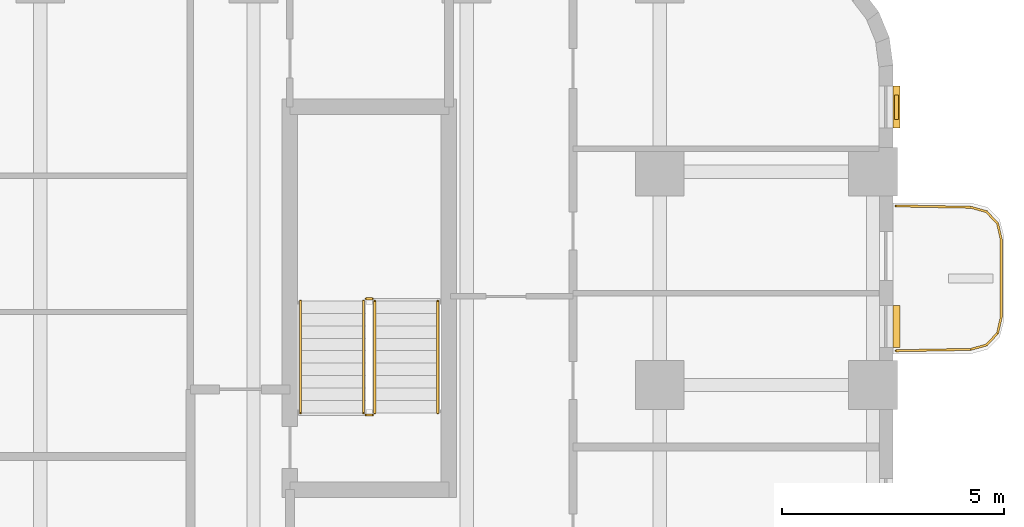
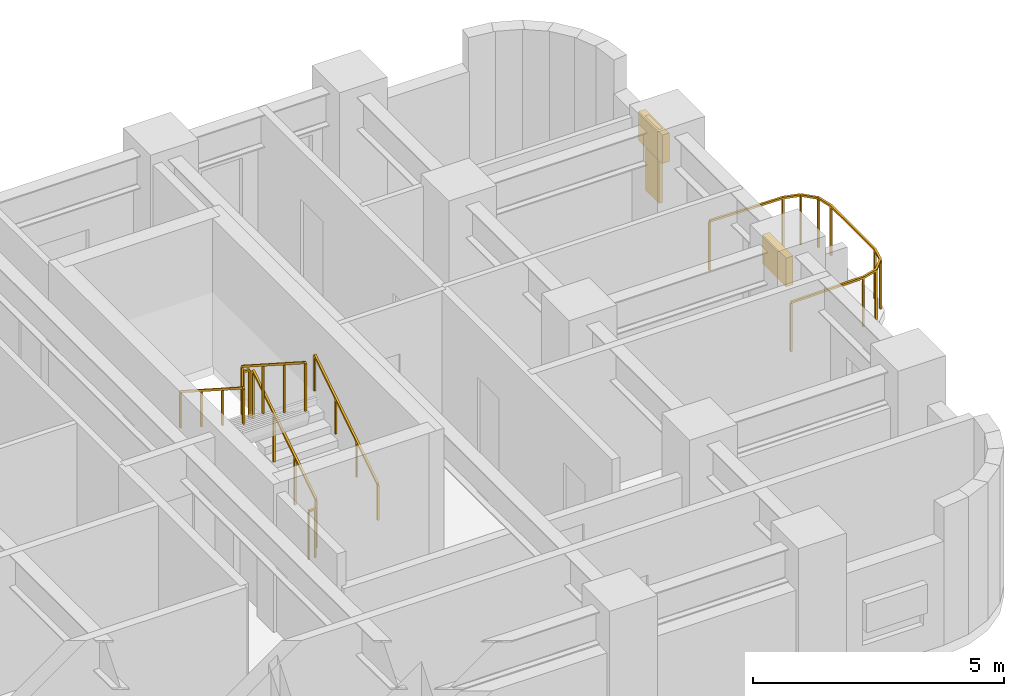
# One storey, part 10 of 11: 7 railings, 3 shading devices.
"""IFC4 building model written with IfcOpenShell, lengths in metres."""

from ifc_helpers import new_model, si_unit, direction, frame, origin, origin_2d, place, context, subcontext, project, spatial, rectangle, extrude, material, type_object, element, save


model = new_model("IFC4")

# Units and contexts
model_context = context("Model", 3, precision=1e-05, world=origin(), true_north=direction((0.0, 1.0)))
body_context = subcontext(model_context, "Body", "Model", "MODEL_VIEW")
ifc_project = project(units=[si_unit("LENGTHUNIT", "METRE"), si_unit("AREAUNIT", "SQUARE_METRE"), si_unit("VOLUMEUNIT", "CUBIC_METRE"), si_unit("PLANEANGLEUNIT", "RADIAN"), si_unit("MASSUNIT", "GRAM", prefix="KILO")], contexts=[model_context])

# Site, building, storey
site_placement = place(None, origin())
site = spatial("IfcSite", under=ifc_project, at=site_placement, CompositionType="ELEMENT")
building_placement = place(site_placement, origin())
building = spatial("IfcBuilding", under=site, at=building_placement, Name="Orvandelia Arch Residences", CompositionType="ELEMENT")
storey_placement = place(building_placement, frame((0.0, 0.0, 61.0)))
storey = spatial("IfcBuildingStorey", under=building, at=storey_placement, Name="L15", CompositionType="ELEMENT", Elevation=61.0)

# Railings
ifc_material_1 = material(Name="Marine-Grade Stainless Steel 316", Category="steel")
railing_type_1 = type_object("IfcRailingType", Name="GRD-BAL-1200", PredefinedType="BALUSTRADE", material=ifc_material_1)
railing_1_placement = place(storey_placement, frame((57.671875, 39.169677734375, 0.0)))
element("IfcRailing", 1, at=railing_1_placement, inside=storey, type_object=railing_type_1, Name="Safety Balustrade Guard GRD-L15-BAL-L15-E1-1", PredefinedType="BALUSTRADE", context=body_context, shape_type="SweptSolid", body=[
    extrude(rectangle(XDim=0.048095703125, YDim=0.048095703125, at=origin_2d()), frame((0.0, 0.0, 1.19580078125), z_axis=(0.999837384468, 0.018033430643, 0.0), x_axis=(-0.018033430643, 0.999837384468, 0.0)), (0.0, 0.0, 1.0), 1.6787109375),
    extrude(rectangle(XDim=0.048095703125, YDim=0.048095703125, at=origin_2d()), frame((1.678466796875, 0.0302734375, 1.19580078125), z_axis=(0.963441293861, 0.267919527627, 0.0), x_axis=(-0.267919527627, 0.963441293861, 0.0)), (0.0, 0.0, 1.0), 0.365478515625),
    extrude(rectangle(XDim=0.048095703125, YDim=0.048095703125, at=origin_2d()), frame((2.030517578125, 0.128173828125, 1.19580078125), z_axis=(0.688296224633, 0.725429739642, 0.0), x_axis=(-0.725429739642, 0.688296224633, 0.0)), (0.0, 0.0, 1.0), 0.3681640625),
    extrude(rectangle(XDim=0.048095703125, YDim=0.048095703125, at=origin_2d()), frame((2.283935546875, 0.395263671875, 1.19580078125), z_axis=(0.221225034864, 0.975222786828, 0.0), x_axis=(-0.975222786828, 0.221225034864, 0.0)), (0.0, 0.0, 1.0), 0.373046875),
    extrude(rectangle(XDim=0.048095703125, YDim=0.048095703125, at=origin_2d()), frame((2.366455078125, 0.759033203125, 1.19580078125), z_axis=(0.0, 1.0, 0.0), x_axis=(-1.0, 0.0, 0.0)), (0.0, 0.0, 1.0), 1.74267578125),
    extrude(rectangle(XDim=0.048095703125, YDim=0.048095703125, at=origin_2d()), frame((2.366455078125, 2.501708984375, 1.19580078125), z_axis=(-0.221225034864, 0.975222786828, 0.0), x_axis=(-0.975222786828, -0.221225034864, 0.0)), (0.0, 0.0, 1.0), 0.373046875),
    extrude(rectangle(XDim=0.048095703125, YDim=0.048095703125, at=origin_2d()), frame((2.283935546875, 2.865478515625, 1.19580078125), z_axis=(-0.688627404251, 0.725115368831, 0.0), x_axis=(-0.725115368831, -0.688627404251, 0.0)), (0.0, 0.0, 1.0), 0.367919921875),
    extrude(rectangle(XDim=0.048095703125, YDim=0.048095703125, at=origin_2d()), frame((2.030517578125, 3.13232421875, 1.19580078125), z_axis=(-0.963441293861, 0.267919527627, 0.0), x_axis=(-0.267919527627, -0.963441293861, 0.0)), (0.0, 0.0, 1.0), 0.365478515625),
    extrude(rectangle(XDim=0.048095703125, YDim=0.048095703125, at=origin_2d()), frame((1.678466796875, 3.230224609375, 1.19580078125), z_axis=(-0.999834751713, 0.018178813668, 0.0), x_axis=(-0.018178813668, -0.999834751713, 0.0)), (0.0, 0.0, 1.0), 1.6787109375),
    extrude(rectangle(XDim=0.0419921875, YDim=0.0419921875, at=origin_2d()), origin(), (0.0, 0.0, 1.0), 1.171875),
    extrude(rectangle(XDim=0.0419921875, YDim=0.0419921875, at=origin_2d()), frame((1.678466796875, 0.0302734375, 0.0)), (0.0, 0.0, 1.0), 1.171875),
    extrude(rectangle(XDim=0.0419921875, YDim=0.0419921875, at=origin_2d()), frame((2.030517578125, 0.128173828125, 0.0)), (0.0, 0.0, 1.0), 1.171875),
    extrude(rectangle(XDim=0.0419921875, YDim=0.0419921875, at=origin_2d()), frame((2.283935546875, 0.395263671875, 0.0)), (0.0, 0.0, 1.0), 1.171875),
    extrude(rectangle(XDim=0.0419921875, YDim=0.0419921875, at=origin_2d()), frame((2.366455078125, 0.759033203125, 0.0)), (0.0, 0.0, 1.0), 1.171875),
    extrude(rectangle(XDim=0.0419921875, YDim=0.0419921875, at=origin_2d()), frame((2.366455078125, 2.501708984375, 0.0)), (0.0, 0.0, 1.0), 1.171875),
    extrude(rectangle(XDim=0.0419921875, YDim=0.0419921875, at=origin_2d()), frame((2.283935546875, 2.865478515625, 0.0)), (0.0, 0.0, 1.0), 1.171875),
    extrude(rectangle(XDim=0.0419921875, YDim=0.0419921875, at=origin_2d()), frame((2.030517578125, 3.13232421875, 0.0)), (0.0, 0.0, 1.0), 1.171875),
    extrude(rectangle(XDim=0.0419921875, YDim=0.0419921875, at=origin_2d()), frame((1.678466796875, 3.230224609375, 0.0)), (0.0, 0.0, 1.0), 1.171875),
    extrude(rectangle(XDim=0.0419921875, YDim=0.0419921875, at=origin_2d()), frame((0.0, 3.2607421875, 0.0)), (0.0, 0.0, 1.0), 1.171875),
])
ifc_material_2 = material(Name="Brushed Stainless Steel 304", Category="steel")
railing_type_2 = type_object("IfcRailingType", Name="RL-STAIR-GD1120", PredefinedType="GUARDRAIL", material=ifc_material_2)
railing_2_placement = place(storey_placement, frame((45.929931640625, 37.77001953125, 0.179931640625)))
element("IfcRailing", 2, at=railing_2_placement, inside=storey, type_object=railing_type_2, Name="L15 ST-3 stair guard 1", PredefinedType="GUARDRAIL", context=body_context, shape_type="SweptSolid", body=[
    extrude(rectangle(XDim=0.048095703125, YDim=0.048095703125, at=origin_2d()), frame((0.0, 0.0, 1.17578125), z_axis=(0.0, 0.841162588446, 0.540782303519), x_axis=(-1.0, 0.0, 0.0)), (0.0, 0.0, 1.0), 2.995849609375),
    extrude(rectangle(XDim=0.0419921875, YDim=0.0419921875, at=origin_2d()), origin(), (0.0, 0.0, 1.0), 1.15185546875),
    extrude(rectangle(XDim=0.0419921875, YDim=0.0419921875, at=origin_2d()), frame((0.0, 0.840087890625, 0.5400390625)), (0.0, 0.0, 1.0), 1.15185546875),
    extrude(rectangle(XDim=0.0419921875, YDim=0.0419921875, at=origin_2d()), frame((0.0, 1.679931640625, 1.080078125)), (0.0, 0.0, 1.0), 1.15185546875),
    extrude(rectangle(XDim=0.0419921875, YDim=0.0419921875, at=origin_2d()), frame((0.0, 2.52001953125, 1.6201171875)), (0.0, 0.0, 1.0), 1.15185546875),
])
railing_3_placement = place(storey_placement, frame((45.8798828125, 40.340087890625, 1.800048828125)))
element("IfcRailing", 3, at=railing_3_placement, inside=storey, type_object=railing_type_2, Name="L15 ST-3 stair guard 2", PredefinedType="GUARDRAIL", context=body_context, shape_type="SweptSolid", body=[
    extrude(rectangle(XDim=0.048095703125, YDim=0.048095703125, at=origin_2d()), frame((0.0, 0.0, 1.17578125), z_axis=(-1.0, 0.0, 0.0), x_axis=(0.0, -1.0, 0.0)), (0.0, 0.0, 1.0), 0.14990234375),
    extrude(rectangle(XDim=0.0419921875, YDim=0.0419921875, at=origin_2d()), origin(), (0.0, 0.0, 1.0), 1.15185546875),
    extrude(rectangle(XDim=0.0419921875, YDim=0.0419921875, at=origin_2d()), frame((-0.14990234375, 0.0, 0.0)), (0.0, 0.0, 1.0), 1.15185546875),
])
railing_4_placement = place(storey_placement, frame((45.679931640625, 40.2900390625, 1.97998046875)))
element("IfcRailing", 4, at=railing_4_placement, inside=storey, type_object=railing_type_2, Name="L15 ST-3 stair guard 3", PredefinedType="GUARDRAIL", context=body_context, shape_type="SweptSolid", body=[
    extrude(rectangle(XDim=0.048095703125, YDim=0.048095703125, at=origin_2d()), frame((0.0, 0.0, 1.17578125), z_axis=(0.0, -0.841162588446, 0.540782303519), x_axis=(1.0, 0.0, 0.0)), (0.0, 0.0, 1.0), 2.995849609375),
    extrude(rectangle(XDim=0.0419921875, YDim=0.0419921875, at=origin_2d()), origin(), (0.0, 0.0, 1.0), 1.15185546875),
    extrude(rectangle(XDim=0.0419921875, YDim=0.0419921875, at=origin_2d()), frame((0.0, -0.840087890625, 0.5400390625)), (0.0, 0.0, 1.0), 1.15185546875),
    extrude(rectangle(XDim=0.0419921875, YDim=0.0419921875, at=origin_2d()), frame((0.0, -1.679931640625, 1.080078125)), (0.0, 0.0, 1.0), 1.15185546875),
    extrude(rectangle(XDim=0.0419921875, YDim=0.0419921875, at=origin_2d()), frame((0.0, -2.52001953125, 1.6201171875)), (0.0, 0.0, 1.0), 1.15185546875),
])
railing_5_placement = place(storey_placement, frame((45.8798828125, 37.719970703125, 0.0)))
element("IfcRailing", 5, at=railing_5_placement, inside=storey, type_object=railing_type_2, Name="L15 ST-3 stair guard 4", PredefinedType="GUARDRAIL", context=body_context, shape_type="SweptSolid", body=[
    extrude(rectangle(XDim=0.048095703125, YDim=0.048095703125, at=origin_2d()), frame((0.0, 0.0, 1.17578125), z_axis=(-1.0, 0.0, 0.0), x_axis=(0.0, -1.0, 0.0)), (0.0, 0.0, 1.0), 0.14990234375),
    extrude(rectangle(XDim=0.0419921875, YDim=0.0419921875, at=origin_2d()), origin(), (0.0, 0.0, 1.0), 1.15185546875),
    extrude(rectangle(XDim=0.0419921875, YDim=0.0419921875, at=origin_2d()), frame((-0.14990234375, 0.0, 0.0)), (0.0, 0.0, 1.0), 1.15185546875),
])
railing_type_3 = type_object("IfcRailingType", Name="RL-STAIR-HR920", PredefinedType="HANDRAIL", material=ifc_material_2)
railing_6_placement = place(storey_placement, frame((47.35009765625, 37.77001953125, 0.360107421875)))
element("IfcRailing", 6, at=railing_6_placement, inside=storey, type_object=railing_type_3, Name="L15 ST-3 stair handrail 1", PredefinedType="HANDRAIL", context=body_context, shape_type="SweptSolid", body=[
    extrude(rectangle(XDim=0.048095703125, YDim=0.048095703125, at=origin_2d()), frame((0.0, 0.0, 0.8759765625), z_axis=(0.0, 0.841199657755, 0.540724639528), x_axis=(-1.0, 0.0, 0.0)), (0.0, 0.0, 1.0), 2.995849609375),
    extrude(rectangle(XDim=0.0419921875, YDim=0.0419921875, at=origin_2d()), origin(), (0.0, 0.0, 1.0), 0.851806640625),
    extrude(rectangle(XDim=0.0419921875, YDim=0.0419921875, at=origin_2d()), frame((0.0, 0.840087890625, 0.5400390625)), (0.0, 0.0, 1.0), 0.851806640625),
    extrude(rectangle(XDim=0.0419921875, YDim=0.0419921875, at=origin_2d()), frame((0.0, 1.679931640625, 1.079833984375)), (0.0, 0.0, 1.0), 0.851806640625),
    extrude(rectangle(XDim=0.0419921875, YDim=0.0419921875, at=origin_2d()), frame((0.0, 2.52001953125, 1.619873046875)), (0.0, 0.0, 1.0), 0.851806640625),
])
railing_7_placement = place(storey_placement, frame((44.260009765625, 40.2900390625, 2.159912109375)))
element("IfcRailing", 7, at=railing_7_placement, inside=storey, type_object=railing_type_3, Name="L15 ST-3 stair handrail 2", PredefinedType="HANDRAIL", context=body_context, shape_type="SweptSolid", body=[
    extrude(rectangle(XDim=0.048095703125, YDim=0.048095703125, at=origin_2d()), frame((0.0, 0.0, 0.8759765625), z_axis=(0.0, -0.841162588446, 0.540782303519), x_axis=(1.0, 0.0, 0.0)), (0.0, 0.0, 1.0), 2.995849609375),
    extrude(rectangle(XDim=0.0419921875, YDim=0.0419921875, at=origin_2d()), origin(), (0.0, 0.0, 1.0), 0.851806640625),
    extrude(rectangle(XDim=0.0419921875, YDim=0.0419921875, at=origin_2d()), frame((0.0, -0.840087890625, 0.5400390625)), (0.0, 0.0, 1.0), 0.851806640625),
    extrude(rectangle(XDim=0.0419921875, YDim=0.0419921875, at=origin_2d()), frame((0.0, -1.679931640625, 1.080078125)), (0.0, 0.0, 1.0), 0.851806640625),
    extrude(rectangle(XDim=0.0419921875, YDim=0.0419921875, at=origin_2d()), frame((0.0, -2.52001953125, 1.6201171875)), (0.0, 0.0, 1.0), 0.851806640625),
])

# Shading devices
ifc_material_3 = material(Name="Anodised Champagne-Bronze Extruded Aluminium", Category="aluminium")
shading_device_type_1 = type_object("IfcShadingDeviceType", Name="SHD-JALOUSIE-SCREEN", PredefinedType="JALOUSIE", material=ifc_material_3)
for number, where, z_axis, x_axis, name in (
    (8, (57.679931640625, 44.655029296875, 1.5498046875), (0.0, 0.0, 1.0), (0.0, -1.0, 0.0), "Bronze Jalousie Sun-Shade L15-003"),
    (9, (57.679931640625, 39.717529296875, 1.5498046875), (0.0, 0.0, 1.0), (0.0, -1.0, 0.0), "Bronze Jalousie Sun-Shade L15-004"),
):
    element("IfcShadingDevice", number, at=place(storey_placement, frame(where, z_axis=z_axis, x_axis=x_axis)), inside=storey, type_object=shading_device_type_1, Name=name, PredefinedType="JALOUSIE", context=body_context, shape_type="SweptSolid", body=[
        extrude(rectangle(XDim=0.949951171875, YDim=0.159912109375, at=origin_2d()), origin(), (0.0, 0.0, 1.0), 0.699951171875),
    ])
ifc_material_4 = material(Name="Marine-Grade Perforated Aluminium Storm Shutter", Category="aluminium")
shading_device_type_2 = type_object("IfcShadingDeviceType", Name="SHD-STORM-SHUTTER", PredefinedType="SHUTTER", material=ifc_material_4)
shading_device_placement = place(storey_placement, frame((57.679931640625, 44.655029296875, 0.4501953125), z_axis=(0.0, 0.0, 1.0), x_axis=(0.0, -1.0, 0.0)))
element("IfcShadingDevice", 10, at=shading_device_placement, inside=storey, type_object=shading_device_type_2, Name="Operable Typhoon Storm Shutter L15-003", PredefinedType="SHUTTER", context=body_context, shape_type="SweptSolid", body=[
    extrude(rectangle(XDim=0.550048828125, YDim=0.080078125, at=origin_2d()), origin(), (0.0, 0.0, 1.0), 1.800048828125),
])

save(model, "model.ifc")
